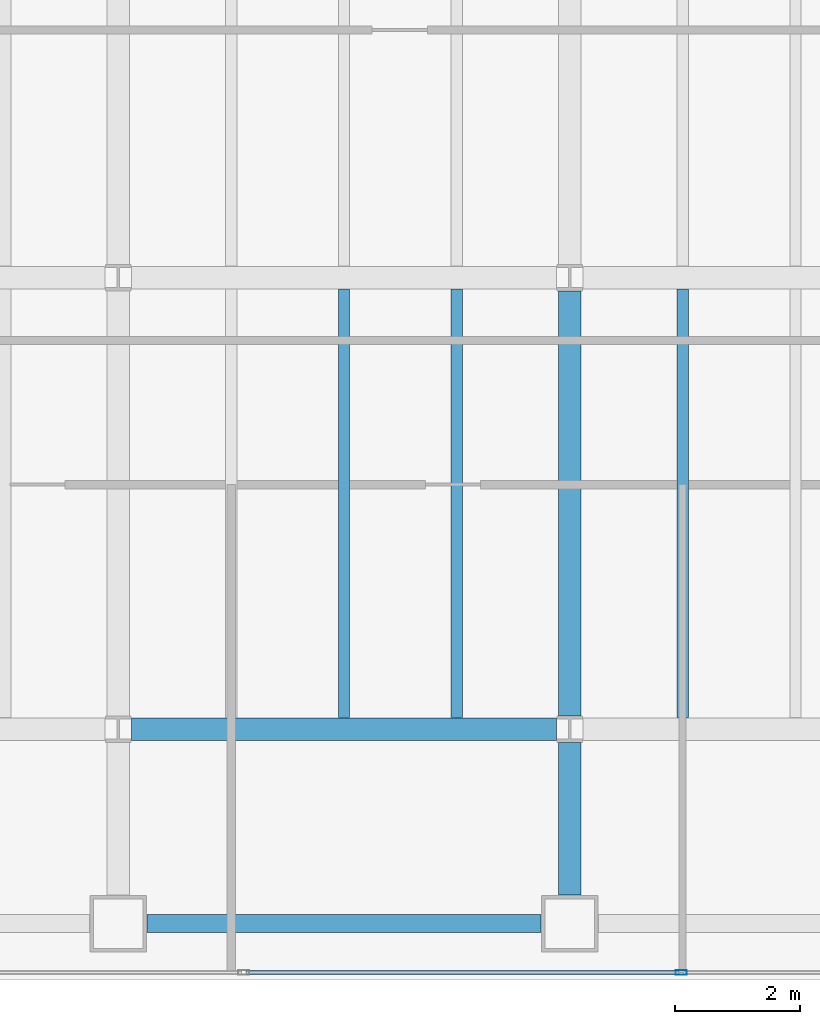
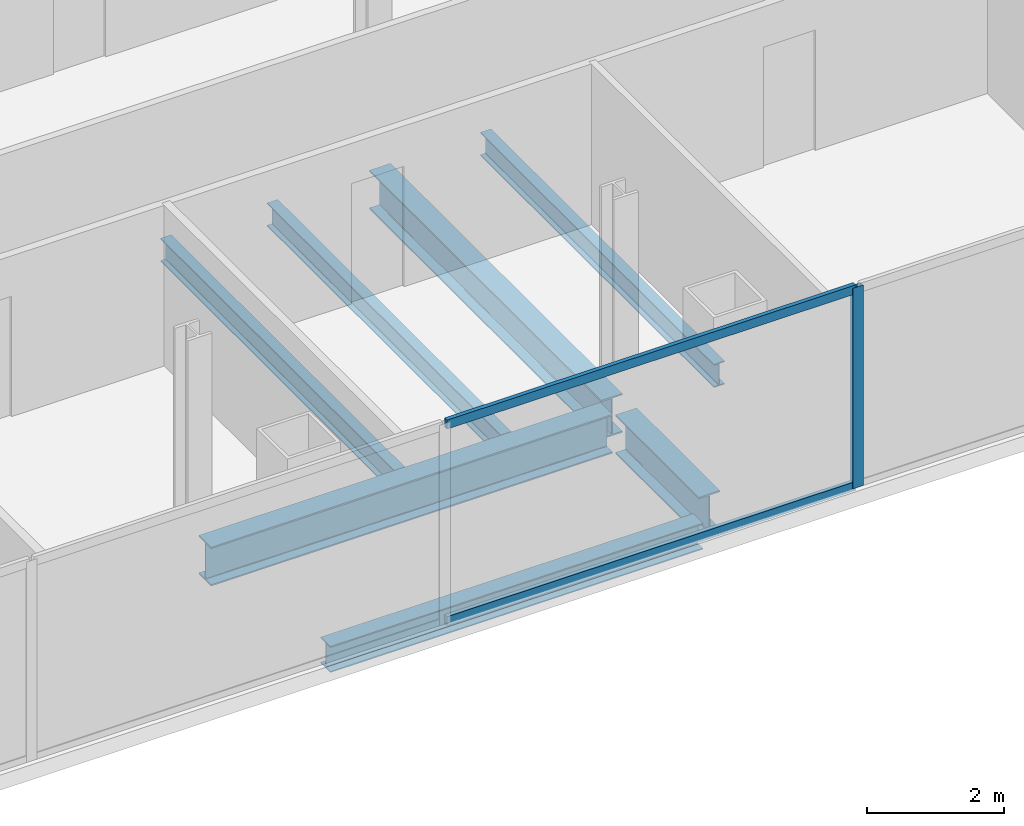
# One storey, part 5 of 24: 7 beams, 3 members, 1 element without a shape of its own.
"""IFC4 building model written with IfcOpenShell, lengths in metres."""

import ifcopenshell
import ifcopenshell.guid

model = None  # the IFC model being written
_history = None  # IfcOwnerHistory: only IFC2X3 demands one
_inside = {}  # id of a spatial element -> (the spatial element, [elements in it])
_under = {}  # id of a project, library or spatial element -> (it, [spatial elements below it])
_declared = {}  # id of a project -> (the project, [libraries it declares])
_typed = {}  # id of a type object -> (the type object, [elements of that type])
_made_of = {}  # id of a material, layer set ... -> (it, [elements and type objects made of it])


def new_model(schema):
    """Start an empty IFC model of exactly this schema.

    Asked for "IFC4X3", IfcOpenShell would pick the latest addendum, in which some entities
    have other attributes; the version numbers below select the first issue.
    IFC2X3 requires an IfcOwnerHistory on every rooted entity: one is made here for all.
    """
    global model, _history
    if schema == "IFC4X3":
        model = ifcopenshell.file(schema_version=(4, 3, 0, 0))
    else:
        model = ifcopenshell.file(schema=schema)
    _inside.clear()
    _under.clear()
    _declared.clear()
    _typed.clear()
    _made_of.clear()
    _history = None
    if model.schema == "IFC2X3":
        org = make("IfcOrganization", Name="unknown")
        user = make(
            "IfcPersonAndOrganization",
            ThePerson=make("IfcPerson", FamilyName="unknown"),
            TheOrganization=org,
        )
        app = make(
            "IfcApplication",
            ApplicationDeveloper=org,
            Version="unknown",
            ApplicationFullName="unknown",
            ApplicationIdentifier="unknown",
        )
        _history = make(
            "IfcOwnerHistory",
            OwningUser=user,
            OwningApplication=app,
            ChangeAction="ADDED",
            CreationDate=0,
        )
    return model


def make(cls, **values):
    """One entity of the class cls with the attributes given. An attribute that is None is left unset."""
    return model.create_entity(
        cls, **{name: value for name, value in values.items() if value is not None}
    )


def rooted(cls, **values):
    """An entity with a GlobalId (a new one), such as an element, a storey or a relation."""
    return make(cls, GlobalId=ifcopenshell.guid.new(), OwnerHistory=_history, **values)


def si_unit(unit_type, name, prefix=None):
    """IfcSIUnit, for example si_unit("LENGTHUNIT", "METRE", prefix="MILLI")."""
    return make("IfcSIUnit", UnitType=unit_type, Prefix=prefix, Name=name)


def assignment(units):
    """IfcUnitAssignment: the units of a project."""
    return None if units is None else make("IfcUnitAssignment", Units=units)


def point(xyz):
    """IfcCartesianPoint."""
    return None if xyz is None else make("IfcCartesianPoint", Coordinates=xyz)


def direction(xyz):
    """IfcDirection."""
    return None if xyz is None else make("IfcDirection", DirectionRatios=xyz)


def frame(location, z_axis=None, x_axis=None):
    """IfcAxis2Placement3D, a coordinate frame: its origin and axes. An axis left out is left unset."""
    return make(
        "IfcAxis2Placement3D",
        Location=point(location),
        Axis=direction(z_axis),
        RefDirection=direction(x_axis),
    )


def frame_2d(location, x_axis=None):
    """IfcAxis2Placement2D, a coordinate frame in the plane: its origin and x axis."""
    return make(
        "IfcAxis2Placement2D", Location=point(location), RefDirection=direction(x_axis)
    )


def origin():
    """The frame at (0, 0, 0) with its axes left unset."""
    return frame((0.0, 0.0, 0.0))


def origin_2d():
    """The frame at (0, 0) in the plane with its x axis left unset."""
    return frame_2d((0.0, 0.0))


def place(relative_to, where):
    """IfcLocalPlacement: puts the frame where relative to a parent placement (None: the world)."""
    return make(
        "IfcLocalPlacement", PlacementRelTo=relative_to, RelativePlacement=where
    )


def context(
    kind, dimensions, precision=None, world=None, true_north=None, identifier=None
):
    """IfcGeometricRepresentationContext, for example the 3D "Model" context."""
    return make(
        "IfcGeometricRepresentationContext",
        ContextIdentifier=identifier,
        ContextType=kind,
        CoordinateSpaceDimension=dimensions,
        Precision=precision,
        WorldCoordinateSystem=world,
        TrueNorth=true_north,
    )


def subcontext(parent, identifier, kind, view, scale=None):
    """IfcGeometricRepresentationSubContext, for example "Body" below "Model"."""
    return make(
        "IfcGeometricRepresentationSubContext",
        ContextIdentifier=identifier,
        ContextType=kind,
        ParentContext=parent,
        TargetScale=scale,
        TargetView=view,
    )


def project(units=None, contexts=None):
    """IfcProject with its units and contexts."""
    return rooted(
        "IfcProject",
        Name="project",
        RepresentationContexts=contexts,
        UnitsInContext=assignment(units),
    )


def spatial(cls, under=None, at=None, **own):
    """A site, building, storey or space (cls), placed at a placement, below another one or the project."""
    s = rooted(cls, ObjectPlacement=at, **own)
    if under is not None:
        _under.setdefault(under.id(), (under, []))[1].append(s)
    return s


def profile(cls, at=None, kind="AREA", **sizes):
    """A parametric profile (cls). Its sizes go by their IFC names, for example OverallWidth=200.0."""
    return make(cls, ProfileType=kind, Position=at, **sizes)


def hollow_rectangle(**sizes):
    """IfcRectangleHollowProfileDef."""
    return profile("IfcRectangleHollowProfileDef", **sizes)


def i_section(**sizes):
    """IfcIShapeProfileDef."""
    return profile("IfcIShapeProfileDef", **sizes)


def extrude(swept, where, along, depth):
    """IfcExtrudedAreaSolid: the profile swept, set in the frame where, extruded along a direction by depth."""
    return make(
        "IfcExtrudedAreaSolid",
        SweptArea=swept,
        Position=where,
        ExtrudedDirection=direction(along),
        Depth=depth,
    )


def shape(context_of_items, identifier, shape_type, items):
    """IfcShapeRepresentation: the items that make up one representation, for example the "Body"."""
    return make(
        "IfcShapeRepresentation",
        ContextOfItems=context_of_items,
        RepresentationIdentifier=identifier,
        RepresentationType=shape_type,
        Items=items,
    )


def material(Name=None, Category=None):
    """IfcMaterial."""
    return make("IfcMaterial", Name=Name, Category=Category)


def material_profile(
    of_material, cross_section, Name=None, Category=None, Priority=None
):
    """IfcMaterialProfile: a cross section and its material."""
    return make(
        "IfcMaterialProfile",
        Name=Name,
        Material=of_material,
        Profile=cross_section,
        Priority=Priority,
        Category=Category,
    )


def profile_set(profiles, Name=None, composite=None):
    """IfcMaterialProfileSet."""
    return make(
        "IfcMaterialProfileSet",
        Name=Name,
        MaterialProfiles=profiles,
        CompositeProfile=composite,
    )


def made_of(thing, what):
    """Note that an element or type object is made of a material, layer set ...; save() writes the relation."""
    if what is not None:
        _made_of.setdefault(what.id(), (what, []))[1].append(thing)
    return thing


def type_object(cls, material=None, **own):
    """A type object (cls), such as IfcWallType, which elements share."""
    return made_of(rooted(cls, **own), material)


def element(
    cls,
    number,
    at=None,
    inside=None,
    cuts=None,
    type_object=None,
    material=None,
    context=None,
    identifier="Body",
    shape_type=None,
    held_by="IfcProductDefinitionShape",
    body=None,
    shapes=None,
    **own,
):
    """One element of the class cls, such as IfcWall. Its Tag is "e" and its number.

    at: its placement. inside: the storey or other place that contains it. cuts: it is an
    opening in that element (IfcRelVoidsElement). A single representation is given by context,
    identifier, shape_type and body (its items); several are given by shapes. held_by: the class
    of the entity that holds the representations. save() writes the other relations.
    """
    e = rooted(cls, Tag="e%d" % number, ObjectPlacement=at, **own)
    if body is not None:
        shapes = [shape(context, identifier, shape_type, body)]
    if shapes is not None:
        e.Representation = make(held_by, Representations=shapes)
    if inside is not None:
        _inside.setdefault(inside.id(), (inside, []))[1].append(e)
    if cuts is not None:
        rooted(
            "IfcRelVoidsElement", RelatingBuildingElement=cuts, RelatedOpeningElement=e
        )
    if type_object is not None:
        _typed.setdefault(type_object.id(), (type_object, []))[1].append(e)
    return made_of(e, material)


def aggregate(whole, parts):
    """IfcRelAggregates: a whole, such as a stair, and the parts it consists of."""
    return rooted("IfcRelAggregates", RelatingObject=whole, RelatedObjects=parts)


def save(model, path):
    """Write the relations noted so far, then the file.

    IfcRelAggregates (storeys below a building ...), IfcRelContainedInSpatialStructure (elements
    in a storey), IfcRelDefinesByType, IfcRelAssociatesMaterial and IfcRelDeclares: one each for
    every whole, place, type object, material and project.
    """
    for whole, parts in _under.values():
        aggregate(whole, parts)
    for where, things in _inside.values():
        rooted(
            "IfcRelContainedInSpatialStructure",
            RelatedElements=things,
            RelatingStructure=where,
        )
    for kind, things in _typed.values():
        rooted("IfcRelDefinesByType", RelatedObjects=things, RelatingType=kind)
    for what, things in _made_of.values():
        rooted("IfcRelAssociatesMaterial", RelatedObjects=things, RelatingMaterial=what)
    for by, libraries in _declared.values():
        rooted("IfcRelDeclares", RelatingContext=by, RelatedDefinitions=libraries)
    model.write(path)


model = new_model("IFC4")

# Units and contexts
model_context = context("Model", 3, precision=1e-05, world=origin(), true_north=direction((0.0, 1.0)))
body_context = subcontext(model_context, "Body", "Model", "MODEL_VIEW")
ifc_project = project(units=[si_unit("LENGTHUNIT", "METRE"), si_unit("AREAUNIT", "SQUARE_METRE"), si_unit("VOLUMEUNIT", "CUBIC_METRE"), si_unit("PLANEANGLEUNIT", "RADIAN"), si_unit("MASSUNIT", "GRAM", prefix="KILO")], contexts=[model_context])

# Site, building, storey
site_placement = place(None, origin())
site = spatial("IfcSite", under=ifc_project, at=site_placement, CompositionType="ELEMENT")
building_placement = place(site_placement, origin())
building = spatial("IfcBuilding", under=site, at=building_placement, Name="Cobrela Telecom Tower", CompositionType="ELEMENT")
storey_placement = place(building_placement, frame((0.0, 0.0, 136.85009765625)))
storey = spatial("IfcBuildingStorey", under=building, at=storey_placement, Name="L34", CompositionType="ELEMENT", Elevation=136.85009765625)

# Beams
ifc_material_1 = material(Name="Steel ASTM A992 Grade 50", Category="steel")
ifc_material_profile_1 = material_profile(ifc_material_1, i_section(OverallWidth=0.35595703125, OverallDepth=0.696044921875, WebThickness=0.015380859375, FlangeThickness=0.024658203125, FilletRadius=0.01806640625, at=origin_2d()), Name="W27X146")
ifc_profile_set_1 = profile_set([ifc_material_profile_1], Name="Steel ASTM A992 Grade 50")
beam_type_1 = type_object("IfcBeamType", Name="BM-GIRD-05", PredefinedType="USERDEFINED", material=ifc_profile_set_1)
beam_1_placement = place(storey_placement, frame((21.8095703125, 7.199951171875, -0.6181640625), z_axis=(1.0, 0.0, 0.0), x_axis=(0.0, 1.0, 0.0)))
element("IfcBeam", 1, at=beam_1_placement, inside=storey, type_object=beam_type_1, Name="L34 Primary Girder X09", ObjectType="GIRDER", PredefinedType="USERDEFINED", context=body_context, shape_type="SweptSolid", body=[
    extrude(i_section(OverallWidth=0.35595703125, OverallDepth=0.696044921875, WebThickness=0.015380859375, FlangeThickness=0.024658203125, FilletRadius=0.01806640625, at=origin_2d()), origin(), (0.0, 0.0, 1.0), 6.781005859375),
])
beam_2_placement = place(storey_placement, frame((28.800048828125, 4.554931640625, -0.6181640625), z_axis=(0.0, 1.0, 0.0), x_axis=(-1.0, 0.0, 0.0)))
element("IfcBeam", 2, at=beam_2_placement, inside=storey, type_object=beam_type_1, Name="L34 Primary Girder Y46", ObjectType="GIRDER", PredefinedType="USERDEFINED", context=body_context, shape_type="SweptSolid", body=[
    extrude(i_section(OverallWidth=0.35595703125, OverallDepth=0.696044921875, WebThickness=0.015380859375, FlangeThickness=0.024658203125, FilletRadius=0.01806640625, at=origin_2d()), origin(), (0.0, 0.0, 1.0), 2.435546875),
])
beam_3_placement = place(storey_placement, frame((28.800048828125, 7.409423828125, -0.6181640625), z_axis=(0.0, 1.0, 0.0), x_axis=(-1.0, 0.0, 0.0)))
element("IfcBeam", 3, at=beam_3_placement, inside=storey, type_object=beam_type_1, Name="L34 Primary Girder Y47", ObjectType="GIRDER", PredefinedType="USERDEFINED", context=body_context, shape_type="SweptSolid", body=[
    extrude(i_section(OverallWidth=0.35595703125, OverallDepth=0.696044921875, WebThickness=0.015380859375, FlangeThickness=0.024658203125, FilletRadius=0.01806640625, at=origin_2d()), origin(), (0.0, 0.0, 1.0), 6.781005859375),
])
ifc_material_profile_2 = material_profile(ifc_material_1, i_section(OverallWidth=0.179931640625, OverallDepth=0.4169921875, WebThickness=0.010986328125, FlangeThickness=0.01806640625, FilletRadius=0.011962890625, at=origin_2d()), Name="W16X57")
ifc_profile_set_2 = profile_set([ifc_material_profile_2], Name="Steel ASTM A992 Grade 50")
beam_type_2 = type_object("IfcBeamType", Name="BM-JOIST-04", PredefinedType="JOIST", material=ifc_profile_set_2)
for number, where, z_axis, x_axis, name in (
    (4, (25.199951171875, 7.383056640625, -0.478515625), (0.0, 1.0, 0.0), (-1.0, 0.0, 0.0), "L34 Secondary Composite Floor Beam J23"),
    (5, (27.0, 7.383056640625, -0.478515625), (0.0, 1.0, 0.0), (-1.0, 0.0, 0.0), "L34 Secondary Composite Floor Beam J25"),
    (6, (30.60009765625, 7.383056640625, -0.478515625), (0.0, 1.0, 0.0), (-1.0, 0.0, 0.0), "L34 Secondary Composite Floor Beam J27"),
):
    element("IfcBeam", number, at=place(storey_placement, frame(where, z_axis=z_axis, x_axis=x_axis)), inside=storey, type_object=beam_type_2, Name=name, PredefinedType="JOIST", context=body_context, shape_type="SweptSolid", body=[
        extrude(i_section(OverallWidth=0.179931640625, OverallDepth=0.4169921875, WebThickness=0.010986328125, FlangeThickness=0.01806640625, FilletRadius=0.011962890625, at=origin_2d()), origin(), (0.0, 0.0, 1.0), 6.833984375),
    ])
ifc_material_profile_3 = material_profile(ifc_material_1, i_section(OverallWidth=0.281982421875, OverallDepth=0.467041015625, WebThickness=0.01220703125, FlangeThickness=0.01953125, FilletRadius=0.012939453125, at=origin_2d()), Name="W18X86")
ifc_profile_set_3 = profile_set([ifc_material_profile_3], Name="Steel ASTM A992 Grade 50")
beam_type_3 = type_object("IfcBeamType", Name="BM-SPAND-04", PredefinedType="SPANDREL", material=ifc_profile_set_3)
beam_4_placement = place(storey_placement, frame((22.054931640625, 4.10009765625, -0.503662109375), z_axis=(1.0, 0.0, 0.0), x_axis=(0.0, 1.0, 0.0)))
element("IfcBeam", 7, at=beam_4_placement, inside=storey, type_object=beam_type_3, Name="L34 Perimeter Spandrel X03", PredefinedType="SPANDREL", context=body_context, shape_type="SweptSolid", body=[
    extrude(i_section(OverallWidth=0.281982421875, OverallDepth=0.467041015625, WebThickness=0.01220703125, FlangeThickness=0.01953125, FilletRadius=0.012939453125, at=origin_2d()), origin(), (0.0, 0.0, 1.0), 6.2900390625),
])

# Curtain wall, members
ifc_material_2 = material(Name="Anodized Bronze Aluminium 6063-T6", Category="aluminium")
curtain_wall_type = type_object("IfcCurtainWallType", Name="CW-SYS-TEL", PredefinedType="USERDEFINED", material=ifc_material_2)
curtain_wall_placement = place(storey_placement, origin())
curtain_wall = element("IfcCurtainWall", 8, at=curtain_wall_placement, inside=storey, type_object=curtain_wall_type, Name="L34 Unitised Bronze Curtain Wall 17", ObjectType="UNITISED CURTAIN WALL", PredefinedType="USERDEFINED")
ifc_material_profile_4 = material_profile(ifc_material_2, hollow_rectangle(XDim=0.074951171875, YDim=0.179931640625, WallThickness=0.00390625, at=origin_2d()), Name="ALU 75x180x4")
ifc_profile_set_4 = profile_set([ifc_material_profile_4], Name="Anodized Bronze Aluminium 6063-T6")
member_type_1 = type_object("IfcMemberType", Name="CW-SYS-TEL-MUL", PredefinedType="MULLION", material=ifc_profile_set_4)
member_1_placement = place(storey_placement, frame((30.57666015625, 3.320068359375, 0.0), z_axis=(0.0, 0.0, 1.0), x_axis=(0.0, -1.0, 0.0)))
member_1 = element("IfcMember", 9, at=member_1_placement, type_object=member_type_1, Name="CW-TEL mullion 3", PredefinedType="MULLION", context=body_context, shape_type="SweptSolid", body=[
    extrude(hollow_rectangle(XDim=0.074951171875, YDim=0.179931640625, WallThickness=0.00390625, at=origin_2d()), origin(), (0.0, 0.0, 1.0), 3.579833984375),
])
ifc_material_profile_5 = material_profile(ifc_material_2, hollow_rectangle(XDim=0.070068359375, YDim=0.159912109375, WallThickness=0.00390625, at=origin_2d()), Name="ALU 70x160x4")
ifc_profile_set_5 = profile_set([ifc_material_profile_5], Name="Anodized Bronze Aluminium 6063-T6")
member_type_2 = type_object("IfcMemberType", Name="CW-SYS-TEL-TRN", PredefinedType="USERDEFINED", material=ifc_profile_set_5)
member_2_placement = place(storey_placement, frame((30.5390625, 3.320068359375, 0.034912109375), z_axis=(-1.0, 0.0, 0.0), x_axis=(0.0, -1.0, 0.0)))
member_2 = element("IfcMember", 10, at=member_2_placement, type_object=member_type_2, Name="CW-TEL transom 3.1", ObjectType="TRANSOM", PredefinedType="USERDEFINED", context=body_context, shape_type="SweptSolid", body=[
    extrude(hollow_rectangle(XDim=0.070068359375, YDim=0.159912109375, WallThickness=0.00390625, at=origin_2d()), origin(), (0.0, 0.0, 1.0), 6.901611328125),
])
member_3_placement = place(storey_placement, frame((30.5390625, 3.320068359375, 3.544921875), z_axis=(-1.0, 0.0, 0.0), x_axis=(0.0, -1.0, 0.0)))
member_3 = element("IfcMember", 11, at=member_3_placement, type_object=member_type_2, Name="CW-TEL transom 3.2", ObjectType="TRANSOM", PredefinedType="USERDEFINED", context=body_context, shape_type="SweptSolid", body=[
    extrude(hollow_rectangle(XDim=0.070068359375, YDim=0.159912109375, WallThickness=0.00390625, at=origin_2d()), origin(), (0.0, 0.0, 1.0), 6.901611328125),
])
aggregate(curtain_wall, [member_1, member_2, member_3])

save(model, "model.ifc")
